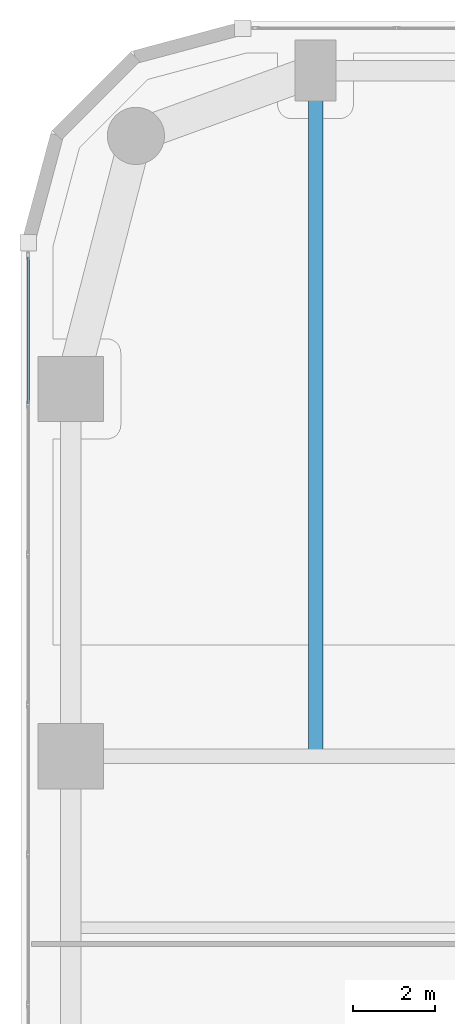
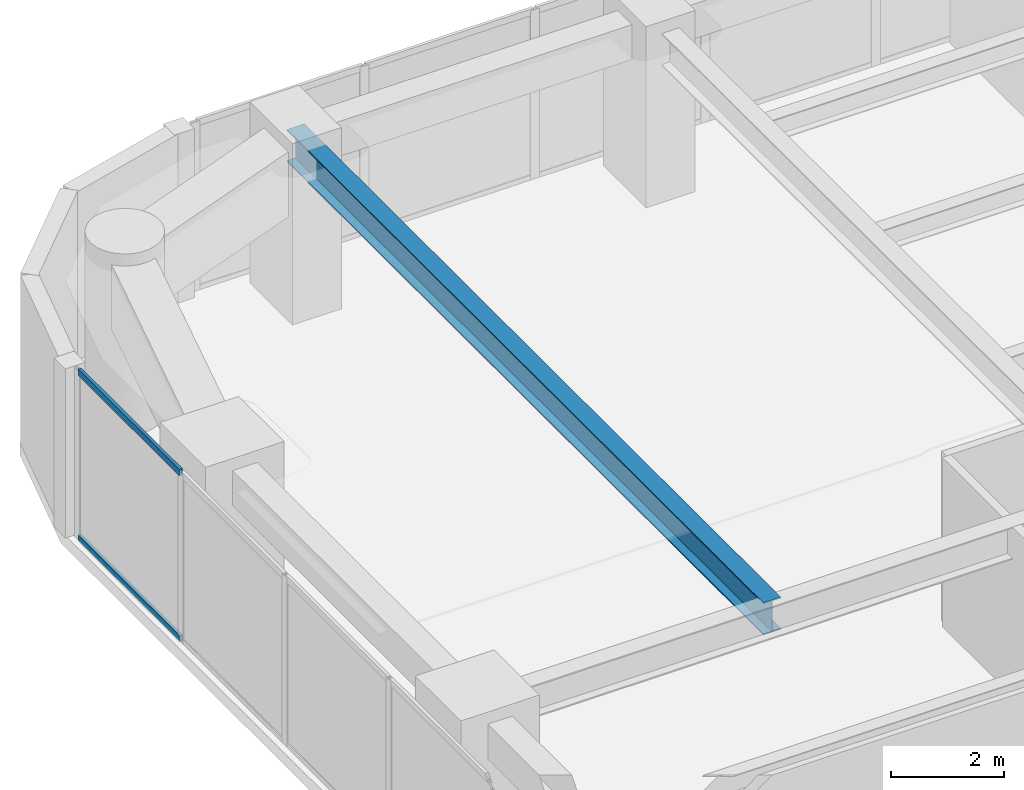
# One storey, part 13 of 28: 2 members, 1 beam, 1 element without a shape of its own.
"""IFC4 building model written with IfcOpenShell, lengths in metres."""

from ifc_helpers import new_model, si_unit, direction, frame, origin, origin_2d, place, context, subcontext, project, spatial, hollow_rectangle, i_section, extrude, material, layer, layer_set, material_profile, profile_set, type_object, element, aggregate, save


model = new_model("IFC4")

# Units and contexts
model_context = context("Model", 3, precision=1e-05, world=origin(), true_north=direction((0.0, 1.0)))
body_context = subcontext(model_context, "Body", "Model", "MODEL_VIEW")
ifc_project = project(units=[si_unit("LENGTHUNIT", "METRE"), si_unit("AREAUNIT", "SQUARE_METRE"), si_unit("VOLUMEUNIT", "CUBIC_METRE"), si_unit("PLANEANGLEUNIT", "RADIAN"), si_unit("MASSUNIT", "GRAM", prefix="KILO")], contexts=[model_context])

# Site, building, storey
site_placement = place(None, origin())
site = spatial("IfcSite", under=ifc_project, at=site_placement, CompositionType="ELEMENT")
building_placement = place(site_placement, origin())
building = spatial("IfcBuilding", under=site, at=building_placement, Name="Kiyonajd Concourse Tower", CompositionType="ELEMENT")
storey_placement = place(building_placement, frame((0.0, 0.0, 33.300048828125)))
storey = spatial("IfcBuildingStorey", under=building, at=storey_placement, Name="L09", CompositionType="ELEMENT", Elevation=33.300048828125)

# Beam
ifc_material_1 = material(Name="Steel ASTM A992 Grade 50", Category="steel")
ifc_material_profile_1 = material_profile(ifc_material_1, i_section(OverallWidth=0.35498046875, OverallDepth=0.695068359375, WebThickness=0.015380859375, FlangeThickness=0.02490234375, at=origin_2d()), Name="W690X217")
ifc_profile_set_1 = profile_set([ifc_material_profile_1], Name="Steel ASTM A992 Grade 50")
beam_type = type_object("IfcBeamType", Name="BM-TWR-690", PredefinedType="BEAM", material=ifc_profile_set_1)
beam_placement = place(storey_placement, frame((25.199951171875, 44.39990234375, 3.29248046875), z_axis=(0.0, 1.0, 0.0), x_axis=(-1.0, 0.0, 0.0)))
element("IfcBeam", 1, at=beam_placement, inside=storey, type_object=beam_type, Name="L09 North Lease Girder", PredefinedType="BEAM", context=body_context, shape_type="SweptSolid", body=[
    extrude(i_section(OverallWidth=0.35498046875, OverallDepth=0.695068359375, WebThickness=0.015380859375, FlangeThickness=0.02490234375, at=origin_2d()), origin(), (0.0, 0.0, 1.0), 16.800048828125),
])

# Curtain wall, members
ifc_material_2 = material(Name="Thermally Broken Anodised Aluminium", Category="aluminium")
ifc_layer = layer(ifc_material_2, 0.179931640625)
ifc_layer_set = layer_set([ifc_layer], Name="Thermally Broken Anodised Aluminium")
curtain_wall_type = type_object("IfcCurtainWallType", Name="CW-SYS-02", PredefinedType="NOTDEFINED", material=ifc_layer_set)
curtain_wall_placement = place(storey_placement, origin())
curtain_wall = element("IfcCurtainWall", 2, at=curtain_wall_placement, inside=storey, type_object=curtain_wall_type, Name="L09 Unitised Curtain Wall CW2", PredefinedType="NOTDEFINED")
ifc_material_profile_2 = material_profile(ifc_material_2, hollow_rectangle(XDim=0.06494140625, YDim=0.139892578125, WallThickness=0.00390625, at=origin_2d()), Name="TRAN-65x140")
ifc_profile_set_2 = profile_set([ifc_material_profile_2], Name="Thermally Broken Anodised Aluminium")
member_type = type_object("IfcMemberType", Name="MB-CW-TRAN1", PredefinedType="USERDEFINED", material=ifc_profile_set_2)
member_1_placement = place(storey_placement, frame((18.159912109375, 53.04833984375, 0.032470703125), z_axis=(0.0, 1.0, 0.0), x_axis=(-1.0, 0.0, 0.0)))
member_1 = element("IfcMember", 3, at=member_1_placement, type_object=member_type, Name="CW2 transom 6.1", ObjectType="TRANSOM", PredefinedType="USERDEFINED", context=body_context, shape_type="SweptSolid", body=[
    extrude(hollow_rectangle(XDim=0.06494140625, YDim=0.139892578125, WallThickness=0.00390625, at=origin_2d()), origin(), (0.0, 0.0, 1.0), 3.575439453125),
])
member_2_placement = place(storey_placement, frame((18.159912109375, 53.04833984375, 3.607421875), z_axis=(0.0, 1.0, 0.0), x_axis=(-1.0, 0.0, 0.0)))
member_2 = element("IfcMember", 4, at=member_2_placement, type_object=member_type, Name="CW2 transom 6.2", ObjectType="TRANSOM", PredefinedType="USERDEFINED", context=body_context, shape_type="SweptSolid", body=[
    extrude(hollow_rectangle(XDim=0.06494140625, YDim=0.139892578125, WallThickness=0.00390625, at=origin_2d()), origin(), (0.0, 0.0, 1.0), 3.575439453125),
])
aggregate(curtain_wall, [member_1, member_2])

save(model, "model.ifc")
